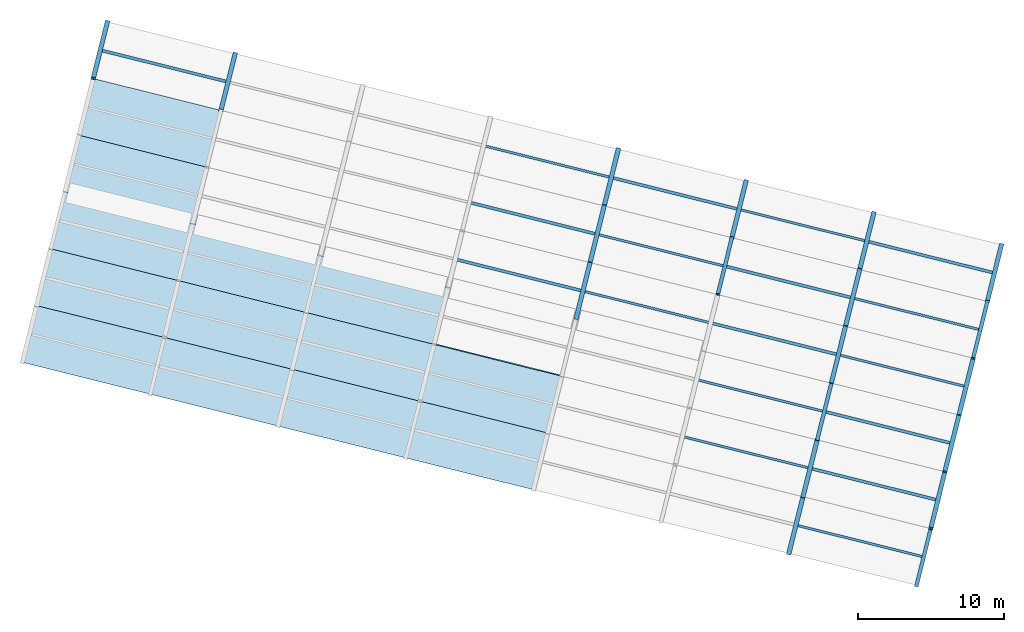
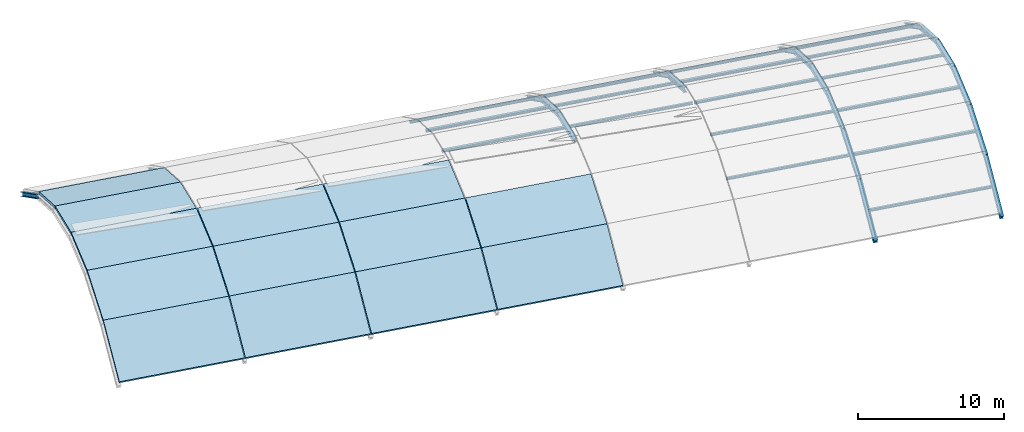
# One storey, part 2 of 3: 37 members, 13 slabs.
"""IFC4 building model written with IfcOpenShell, lengths in metres."""

from ifc_helpers import new_model, si_unit, direction, frame, origin, origin_2d, place, context, subcontext, project, spatial, polyline, i_section, outline, extrude, material, layer, layer_set, material_profile, profile_set, type_object, element, save


model = new_model("IFC4")

# Units and contexts
model_context = context("Model", 3, precision=1e-05, world=origin(), true_north=direction((0.0, 1.0)))
body_context = subcontext(model_context, "Body", "Model", "MODEL_VIEW")
ifc_project = project(units=[si_unit("LENGTHUNIT", "METRE"), si_unit("AREAUNIT", "SQUARE_METRE"), si_unit("VOLUMEUNIT", "CUBIC_METRE"), si_unit("PLANEANGLEUNIT", "RADIAN"), si_unit("MASSUNIT", "GRAM", prefix="KILO")], contexts=[model_context])

# Site, building, storey
site_placement = place(None, origin())
site = spatial("IfcSite", under=ifc_project, at=site_placement, CompositionType="ELEMENT")
building_placement = place(site_placement, origin())
building = spatial("IfcBuilding", under=site, at=building_placement, Name="Vireo Bluff Cable Station", CompositionType="ELEMENT")
storey_placement = place(building_placement, frame((0.0, 0.0, 28.800048828125)))
storey = spatial("IfcBuildingStorey", under=building, at=storey_placement, Name="Roof", CompositionType="ELEMENT", Elevation=28.800048828125)

# Members
ifc_material_1 = material(Name="Steel ASTM A992 Gr. 50", Category="steel")
ifc_material_profile_1 = material_profile(ifc_material_1, i_section(OverallWidth=0.304931640625, OverallDepth=0.306884765625, WebThickness=0.010009765625, FlangeThickness=0.015380859375, FilletRadius=0.012939453125, at=origin_2d()), Name="W12X65")
ifc_profile_set_1 = profile_set([ifc_material_profile_1], Name="Steel ASTM A992 Gr. 50")
member_type_1 = type_object("IfcMemberType", Name="CHD-01", PredefinedType="CHORD", material=ifc_profile_set_1)
member_1_placement = place(storey_placement, frame((67.571044921875, 55.228515625, -2.2421875), z_axis=(0.205801852835, 0.825387955695, -0.525718860194), x_axis=(-0.970293098586, 0.241932434444, 0.0)))
element("IfcMember", 1, at=member_1_placement, inside=storey, type_object=member_type_1, Name="V1 shell arch rib 2.6", PredefinedType="CHORD", context=body_context, shape_type="SweptSolid", body=[
    extrude(i_section(OverallWidth=0.304931640625, OverallDepth=0.306884765625, WebThickness=0.010009765625, FlangeThickness=0.015380859375, FilletRadius=0.012939453125, at=origin_2d()), origin(), (0.0, 0.0, 1.0), 4.702392578125),
])
member_2_placement = place(storey_placement, frame((91.833740234375, 40.934326171875, 0.5927734375), z_axis=(0.240119626405, 0.962962083996, -0.122664541743), x_axis=(-0.970289525963, 0.24194676234, 0.0)))
element("IfcMember", 2, at=member_2_placement, inside=storey, type_object=member_type_1, Name="V1 shell arch rib 5.4", PredefinedType="CHORD", context=body_context, shape_type="SweptSolid", body=[
    extrude(i_section(OverallWidth=0.304931640625, OverallDepth=0.306884765625, WebThickness=0.010009765625, FlangeThickness=0.015380859375, FilletRadius=0.012939453125, at=origin_2d()), origin(), (0.0, 0.0, 1.0), 4.0302734375),
])
member_3_placement = place(storey_placement, frame((102.501708984375, 46.51953125, -1.099365234375), z_axis=(0.2058106722, 0.82537140665, -0.525741389176), x_axis=(-0.970289525963, 0.24194676234, 0.0)))
element("IfcMember", 3, at=member_3_placement, inside=storey, type_object=member_type_1, Name="V1 shell arch rib 6.6", PredefinedType="CHORD", context=body_context, shape_type="SweptSolid", body=[
    extrude(i_section(OverallWidth=0.304931640625, OverallDepth=0.306884765625, WebThickness=0.010009765625, FlangeThickness=0.015380859375, FilletRadius=0.012939453125, at=origin_2d()), origin(), (0.0, 0.0, 1.0), 4.7021484375),
])
member_4_placement = place(storey_placement, frame((109.299072265625, 36.579833984375, 1.164306640625), z_axis=(0.240060758444, 0.962968931868, -0.122725989556), x_axis=(-0.970303853191, 0.241889297993, 0.0)))
element("IfcMember", 4, at=member_4_placement, inside=storey, type_object=member_type_1, Name="V1 shell arch rib 7.4", PredefinedType="CHORD", context=body_context, shape_type="SweptSolid", body=[
    extrude(i_section(OverallWidth=0.304931640625, OverallDepth=0.306884765625, WebThickness=0.010009765625, FlangeThickness=0.015380859375, FilletRadius=0.012939453125, at=origin_2d()), origin(), (0.0, 0.0, 1.0), 4.0302734375),
])
member_5_placement = place(storey_placement, frame((116.096435546875, 26.64013671875, -0.52783203125), z_axis=(0.226795179259, 0.909755984023, 0.347718271304), x_axis=(-0.970303853191, 0.241889297993, 0.0)))
element("IfcMember", 5, at=member_5_placement, inside=storey, type_object=member_type_1, Name="V1 shell arch rib 8.2", PredefinedType="CHORD", context=body_context, shape_type="SweptSolid", body=[
    extrude(i_section(OverallWidth=0.304931640625, OverallDepth=0.306884765625, WebThickness=0.010009765625, FlangeThickness=0.015380859375, FilletRadius=0.012939453125, at=origin_2d()), origin(), (0.0, 0.0, 1.0), 4.26611328125),
])
member_6_placement = place(storey_placement, frame((119.967041015625, 42.164794921875, -0.52783203125), z_axis=(0.2058106722, 0.82537140665, -0.525741389176), x_axis=(-0.970289525963, 0.24194676234, 0.0)))
element("IfcMember", 6, at=member_6_placement, inside=storey, type_object=member_type_1, Name="V1 shell arch rib 8.6", PredefinedType="CHORD", context=body_context, shape_type="SweptSolid", body=[
    extrude(i_section(OverallWidth=0.304931640625, OverallDepth=0.306884765625, WebThickness=0.010009765625, FlangeThickness=0.015380859375, FilletRadius=0.012939453125, at=origin_2d()), origin(), (0.0, 0.0, 1.0), 4.7021484375),
])
ifc_material_profile_2 = material_profile(ifc_material_1, i_section(OverallWidth=0.306884765625, OverallDepth=0.31494140625, WebThickness=0.011962890625, FlangeThickness=0.018798828125, FilletRadius=0.012939453125, at=origin_2d()), Name="W12X79")
ifc_profile_set_2 = profile_set([ifc_material_profile_2], Name="Steel ASTM A992 Gr. 50")
member_type_2 = type_object("IfcMemberType", Name="CHD-02", PredefinedType="CHORD", material=ifc_profile_set_2)
member_7_placement = place(storey_placement, frame((92.801513671875, 44.8154296875, 0.098388671875), z_axis=(0.226783372024, 0.909765846185, -0.347700168664), x_axis=(-0.97030742417, 0.241874973077, 0.0)))
element("IfcMember", 7, at=member_7_placement, inside=storey, type_object=member_type_2, Name="V1 shell arch rib 5.5", PredefinedType="CHORD", context=body_context, shape_type="SweptSolid", body=[
    extrude(i_section(OverallWidth=0.306884765625, OverallDepth=0.31494140625, WebThickness=0.011962890625, FlangeThickness=0.018798828125, FilletRadius=0.012939453125, at=origin_2d()), origin(), (0.0, 0.0, 1.0), 4.266357421875),
])
member_8_placement = place(storey_placement, frame((106.39599609375, 24.936279296875, -3.28564453125), z_axis=(0.2058106722, 0.82537140665, 0.525741389176), x_axis=(-0.970289525963, 0.24194676234, 0.0)))
element("IfcMember", 8, at=member_8_placement, inside=storey, type_object=member_type_2, Name="V1 shell arch rib 7.1", PredefinedType="CHORD", context=body_context, shape_type="SweptSolid", body=[
    extrude(i_section(OverallWidth=0.306884765625, OverallDepth=0.31494140625, WebThickness=0.011962890625, FlangeThickness=0.018798828125, FilletRadius=0.012939453125, at=origin_2d()), origin(), (0.0, 0.0, 1.0), 4.7021484375),
])
member_9_placement = place(storey_placement, frame((110.2666015625, 40.4609375, 0.669677734375), z_axis=(0.226853976553, 0.909762276807, -0.347663447921), x_axis=(-0.970289525963, 0.24194676234, 0.0)))
element("IfcMember", 9, at=member_9_placement, inside=storey, type_object=member_type_2, Name="V1 shell arch rib 7.5", PredefinedType="CHORD", context=body_context, shape_type="SweptSolid", body=[
    extrude(i_section(OverallWidth=0.306884765625, OverallDepth=0.31494140625, WebThickness=0.011962890625, FlangeThickness=0.018798828125, FilletRadius=0.012939453125, at=origin_2d()), origin(), (0.0, 0.0, 1.0), 4.26611328125),
])
member_10_placement = place(storey_placement, frame((117.06396484375, 30.521240234375, 0.95556640625), z_axis=(0.24010562065, 0.962966487663, 0.122657386937), x_axis=(-0.970293098586, 0.241932434444, 0.0)))
element("IfcMember", 10, at=member_10_placement, inside=storey, type_object=member_type_2, Name="V1 shell arch rib 8.3", PredefinedType="CHORD", context=body_context, shape_type="SweptSolid", body=[
    extrude(i_section(OverallWidth=0.306884765625, OverallDepth=0.31494140625, WebThickness=0.011962890625, FlangeThickness=0.018798828125, FilletRadius=0.012939453125, at=origin_2d()), origin(), (0.0, 0.0, 1.0), 4.030517578125),
])
ifc_material_profile_3 = material_profile(ifc_material_1, i_section(OverallWidth=0.30908203125, OverallDepth=0.322998046875, WebThickness=0.013916015625, FlangeThickness=0.02294921875, FilletRadius=0.012939453125, at=origin_2d()), Name="W12X96")
ifc_profile_set_3 = profile_set([ifc_material_profile_3], Name="Steel ASTM A992 Gr. 50")
member_type_3 = type_object("IfcMemberType", Name="CHD-03", PredefinedType="CHORD", material=ifc_profile_set_3)
for number, where, z_axis, x_axis, name in (
    (11, (58.83837890625, 57.406005859375, -2.52783203125), (0.2058106722, 0.82537140665, -0.525741389176), (-0.970289525963, 0.24194676234, 0.0), "V1 shell arch rib 1.6"),
    (12, (93.76904296875, 48.69677734375, -1.385009765625), (0.2058106722, 0.82537140665, -0.525741389176), (-0.970289525963, 0.24194676234, 0.0), "V1 shell arch rib 5.6"),
):
    element("IfcMember", number, at=place(storey_placement, frame(where, z_axis=z_axis, x_axis=x_axis)), inside=storey, type_object=member_type_3, Name=name, PredefinedType="CHORD", context=body_context, shape_type="SweptSolid", body=[
        extrude(i_section(OverallWidth=0.30908203125, OverallDepth=0.322998046875, WebThickness=0.013916015625, FlangeThickness=0.02294921875, FilletRadius=0.012939453125, at=origin_2d()), origin(), (0.0, 0.0, 1.0), 4.7021484375),
    ])
member_11_placement = place(storey_placement, frame((107.36376953125, 28.8173828125, -0.8134765625), z_axis=(0.226799692082, 0.909774086558, 0.347667960989), x_axis=(-0.970303853191, 0.241889297993, 0.0)))
element("IfcMember", 13, at=member_11_placement, inside=storey, type_object=member_type_3, Name="V1 shell arch rib 7.2", PredefinedType="CHORD", context=body_context, shape_type="SweptSolid", body=[
    extrude(i_section(OverallWidth=0.30908203125, OverallDepth=0.322998046875, WebThickness=0.013916015625, FlangeThickness=0.02294921875, FilletRadius=0.012939453125, at=origin_2d()), origin(), (0.0, 0.0, 1.0), 4.26611328125),
])
member_12_placement = place(storey_placement, frame((111.234375, 44.342041015625, -0.8134765625), z_axis=(0.205801852835, 0.825387955695, -0.525718860194), x_axis=(-0.970293098586, 0.241932434444, 0.0)))
element("IfcMember", 14, at=member_12_placement, inside=storey, type_object=member_type_3, Name="V1 shell arch rib 7.6", PredefinedType="CHORD", context=body_context, shape_type="SweptSolid", body=[
    extrude(i_section(OverallWidth=0.30908203125, OverallDepth=0.322998046875, WebThickness=0.013916015625, FlangeThickness=0.02294921875, FilletRadius=0.012939453125, at=origin_2d()), origin(), (0.0, 0.0, 1.0), 4.702392578125),
])
member_13_placement = place(storey_placement, frame((118.03173828125, 34.402587890625, 1.449951171875), z_axis=(0.240062542681, 0.962976089075, -0.122666325745), x_axis=(-0.970303853191, 0.241889297993, 0.0)))
element("IfcMember", 15, at=member_13_placement, inside=storey, type_object=member_type_3, Name="V1 shell arch rib 8.4", PredefinedType="CHORD", context=body_context, shape_type="SweptSolid", body=[
    extrude(i_section(OverallWidth=0.30908203125, OverallDepth=0.322998046875, WebThickness=0.013916015625, FlangeThickness=0.02294921875, FilletRadius=0.012939453125, at=origin_2d()), origin(), (0.0, 0.0, 1.0), 4.0302734375),
])
ifc_material_profile_4 = material_profile(ifc_material_1, i_section(OverallWidth=0.257080078125, OverallDepth=0.363037109375, WebThickness=0.012939453125, FlangeThickness=0.021728515625, FilletRadius=0.014892578125, at=origin_2d()), Name="W14X82")
ifc_profile_set_4 = profile_set([ifc_material_profile_4], Name="Steel ASTM A992 Gr. 50")
member_type_4 = type_object("IfcMemberType", Name="CHD-04", PredefinedType="CHORD", material=ifc_profile_set_4)
member_14_placement = place(storey_placement, frame((101.5341796875, 42.63818359375, 0.384033203125), z_axis=(0.226783372024, 0.909765846185, -0.347700168664), x_axis=(-0.97030742417, 0.241874973077, 0.0)))
element("IfcMember", 16, at=member_14_placement, inside=storey, type_object=member_type_4, Name="V1 shell arch rib 6.5", PredefinedType="CHORD", context=body_context, shape_type="SweptSolid", body=[
    extrude(i_section(OverallWidth=0.257080078125, OverallDepth=0.363037109375, WebThickness=0.012939453125, FlangeThickness=0.021728515625, FilletRadius=0.014892578125, at=origin_2d()), origin(), (0.0, 0.0, 1.0), 4.266357421875),
])
member_15_placement = place(storey_placement, frame((108.331298828125, 32.698486328125, 0.669677734375), z_axis=(0.240103836353, 0.962959331571, 0.122717046532), x_axis=(-0.970293098586, 0.241932434444, 0.0)))
element("IfcMember", 17, at=member_15_placement, inside=storey, type_object=member_type_4, Name="V1 shell arch rib 7.3", PredefinedType="CHORD", context=body_context, shape_type="SweptSolid", body=[
    extrude(i_section(OverallWidth=0.257080078125, OverallDepth=0.363037109375, WebThickness=0.012939453125, FlangeThickness=0.021728515625, FilletRadius=0.014892578125, at=origin_2d()), origin(), (0.0, 0.0, 1.0), 4.03076171875),
])
member_16_placement = place(storey_placement, frame((115.128662109375, 22.759033203125, -3.0), z_axis=(0.2058106722, 0.82537140665, 0.525741389176), x_axis=(-0.970289525963, 0.24194676234, 0.0)))
element("IfcMember", 18, at=member_16_placement, inside=storey, type_object=member_type_4, Name="V1 shell arch rib 8.1", PredefinedType="CHORD", context=body_context, shape_type="SweptSolid", body=[
    extrude(i_section(OverallWidth=0.257080078125, OverallDepth=0.363037109375, WebThickness=0.012939453125, FlangeThickness=0.021728515625, FilletRadius=0.014892578125, at=origin_2d()), origin(), (0.0, 0.0, 1.0), 4.7021484375),
])
member_17_placement = place(storey_placement, frame((118.999267578125, 38.28369140625, 0.95556640625), z_axis=(0.226849462767, 0.909744174977, -0.347713757763), x_axis=(-0.970289525963, 0.24194676234, 0.0)))
element("IfcMember", 19, at=member_17_placement, inside=storey, type_object=member_type_4, Name="V1 shell arch rib 8.5", PredefinedType="CHORD", context=body_context, shape_type="SweptSolid", body=[
    extrude(i_section(OverallWidth=0.257080078125, OverallDepth=0.363037109375, WebThickness=0.012939453125, FlangeThickness=0.021728515625, FilletRadius=0.014892578125, at=origin_2d()), origin(), (0.0, 0.0, 1.0), 4.26611328125),
])
ifc_material_profile_5 = material_profile(ifc_material_1, i_section(OverallWidth=0.1650390625, OverallDepth=0.200927734375, WebThickness=0.006103515625, FlangeThickness=0.01025390625, FilletRadius=0.008056640625, at=origin_2d()), Name="W8X24")
ifc_profile_set_5 = profile_set([ifc_material_profile_5], Name="Steel ASTM A992 Gr. 50")
member_type_5 = type_object("IfcMemberType", Name="PUR-01", PredefinedType="PURLIN", material=ifc_profile_set_5)
member_18_placement = place(storey_placement, frame((85.56884765625, 52.802490234375, -2.865234375), z_axis=(0.969807258101, -0.241800633547, 0.031722795443), x_axis=(0.241922391763, 0.970295602568, 0.0)))
element("IfcMember", 20, at=member_18_placement, inside=storey, type_object=member_type_5, Name="V1 shell purlin 4.6", PredefinedType="PURLIN", context=body_context, shape_type="SweptSolid", body=[
    extrude(i_section(OverallWidth=0.1650390625, OverallDepth=0.200927734375, WebThickness=0.006103515625, FlangeThickness=0.01025390625, FilletRadius=0.008056640625, at=origin_2d()), origin(), (0.0, 0.0, 1.0), 8.904296875),
])
for number, where, z_axis, x_axis, name in (
    (21, (92.365966796875, 42.86279296875, 0.38720703125), (0.9698088887, -0.241794204157, 0.031721951946), (0.241915952656, 0.970297207999, 0.0), "V1 shell purlin 5.4"),
    (22, (99.163330078125, 32.923095703125, -0.31591796875), (0.9698088887, -0.241794204157, 0.031721951946), (0.241915952656, 0.970297207999, 0.0), "V1 shell purlin 6.2"),
):
    element("IfcMember", number, at=place(storey_placement, frame(where, z_axis=z_axis, x_axis=x_axis)), inside=storey, type_object=member_type_5, Name=name, PredefinedType="PURLIN", context=body_context, shape_type="SweptSolid", body=[
        extrude(i_section(OverallWidth=0.1650390625, OverallDepth=0.200927734375, WebThickness=0.006103515625, FlangeThickness=0.01025390625, FilletRadius=0.008056640625, at=origin_2d()), origin(), (0.0, 0.0, 1.0), 8.904541015625),
    ])
member_19_placement = place(storey_placement, frame((103.0341796875, 48.447998046875, -2.293701171875), z_axis=(0.969807258101, -0.241800633547, 0.031722795443), x_axis=(0.241922391763, 0.970295602568, 0.0)))
element("IfcMember", 23, at=member_19_placement, inside=storey, type_object=member_type_5, Name="V1 shell purlin 6.6", PredefinedType="PURLIN", context=body_context, shape_type="SweptSolid", body=[
    extrude(i_section(OverallWidth=0.1650390625, OverallDepth=0.200927734375, WebThickness=0.006103515625, FlangeThickness=0.01025390625, FilletRadius=0.008056640625, at=origin_2d()), origin(), (0.0, 0.0, 1.0), 8.904296875),
])
member_20_placement = place(storey_placement, frame((109.831298828125, 38.50830078125, 0.95849609375), z_axis=(0.96980804486, -0.24179399377, 0.031749341738), x_axis=(0.241915952656, 0.970297207999, 0.0)))
element("IfcMember", 24, at=member_20_placement, inside=storey, type_object=member_type_5, Name="V1 shell purlin 7.4", PredefinedType="PURLIN", context=body_context, shape_type="SweptSolid", body=[
    extrude(i_section(OverallWidth=0.1650390625, OverallDepth=0.200927734375, WebThickness=0.006103515625, FlangeThickness=0.01025390625, FilletRadius=0.008056640625, at=origin_2d()), origin(), (0.0, 0.0, 1.0), 8.904541015625),
])
ifc_material_profile_6 = material_profile(ifc_material_1, i_section(OverallWidth=0.166015625, OverallDepth=0.205078125, WebThickness=0.007080078125, FlangeThickness=0.01171875, FilletRadius=0.008056640625, at=origin_2d()), Name="W8X28")
ifc_profile_set_6 = profile_set([ifc_material_profile_6], Name="Steel ASTM A992 Gr. 50")
member_type_6 = type_object("IfcMemberType", Name="PUR-02", PredefinedType="PURLIN", material=ifc_profile_set_6)
member_21_placement = place(storey_placement, frame((93.333740234375, 46.744140625, -0.601806640625), z_axis=(0.969801615352, -0.241819807967, 0.03174913125), x_axis=(0.241941778255, 0.970290768757, 0.0)))
element("IfcMember", 25, at=member_21_placement, inside=storey, type_object=member_type_6, Name="V1 shell purlin 5.5", PredefinedType="PURLIN", context=body_context, shape_type="SweptSolid", body=[
    extrude(i_section(OverallWidth=0.166015625, OverallDepth=0.205078125, WebThickness=0.007080078125, FlangeThickness=0.01171875, FilletRadius=0.008056640625, at=origin_2d()), origin(), (0.0, 0.0, 1.0), 8.904541015625),
])
member_22_placement = place(storey_placement, frame((100.131103515625, 36.804443359375, 0.6728515625), z_axis=(0.969807258101, -0.241800633547, 0.031722795443), x_axis=(0.241922391763, 0.970295602568, 0.0)))
element("IfcMember", 26, at=member_22_placement, inside=storey, type_object=member_type_6, Name="V1 shell purlin 6.3", PredefinedType="PURLIN", context=body_context, shape_type="SweptSolid", body=[
    extrude(i_section(OverallWidth=0.166015625, OverallDepth=0.205078125, WebThickness=0.007080078125, FlangeThickness=0.01171875, FilletRadius=0.008056640625, at=origin_2d()), origin(), (0.0, 0.0, 1.0), 8.904296875),
])
for number, where, z_axis, x_axis, name in (
    (27, (106.92822265625, 26.86474609375, -2.008056640625), (0.9698088887, -0.241794204157, 0.031721951946), (0.241915952656, 0.970297207999, 0.0), "V1 shell purlin 7.1"),
    (28, (110.799072265625, 42.389404296875, -0.0302734375), (0.9698088887, -0.241794204157, 0.031721951946), (0.241915952656, 0.970297207999, 0.0), "V1 shell purlin 7.5"),
):
    element("IfcMember", number, at=place(storey_placement, frame(where, z_axis=z_axis, x_axis=x_axis)), inside=storey, type_object=member_type_6, Name=name, PredefinedType="PURLIN", context=body_context, shape_type="SweptSolid", body=[
        extrude(i_section(OverallWidth=0.166015625, OverallDepth=0.205078125, WebThickness=0.007080078125, FlangeThickness=0.01171875, FilletRadius=0.008056640625, at=origin_2d()), origin(), (0.0, 0.0, 1.0), 8.904541015625),
    ])
ifc_material_profile_7 = material_profile(ifc_material_1, i_section(OverallWidth=0.2041015625, OverallDepth=0.2060546875, WebThickness=0.0078125, FlangeThickness=0.0126953125, FilletRadius=0.008056640625, at=origin_2d()), Name="W8X35")
ifc_profile_set_7 = profile_set([ifc_material_profile_7], Name="Steel ASTM A992 Gr. 50")
member_type_7 = type_object("IfcMemberType", Name="PUR-03", PredefinedType="PURLIN", material=ifc_profile_set_7)
member_23_placement = place(storey_placement, frame((59.370849609375, 59.33447265625, -3.722412109375), z_axis=(0.969806414218, -0.241800423143, 0.031750185962), x_axis=(0.241922391763, 0.970295602568, 0.0)))
element("IfcMember", 29, at=member_23_placement, inside=storey, type_object=member_type_7, Name="V1 shell purlin 1.6", PredefinedType="PURLIN", context=body_context, shape_type="SweptSolid", body=[
    extrude(i_section(OverallWidth=0.2041015625, OverallDepth=0.2060546875, WebThickness=0.0078125, FlangeThickness=0.0126953125, FilletRadius=0.008056640625, at=origin_2d()), origin(), (0.0, 0.0, 1.0), 8.904296875),
])
member_24_placement = place(storey_placement, frame((83.63330078125, 45.0400390625, 0.1015625), z_axis=(0.9698088887, -0.241794204157, 0.031721951946), x_axis=(0.241915952656, 0.970297207999, 0.0)))
element("IfcMember", 30, at=member_24_placement, inside=storey, type_object=member_type_7, Name="V1 shell purlin 4.4", PredefinedType="PURLIN", context=body_context, shape_type="SweptSolid", body=[
    extrude(i_section(OverallWidth=0.2041015625, OverallDepth=0.2060546875, WebThickness=0.0078125, FlangeThickness=0.0126953125, FilletRadius=0.008056640625, at=origin_2d()), origin(), (0.0, 0.0, 1.0), 8.904541015625),
])
member_25_placement = place(storey_placement, frame((94.301513671875, 50.625244140625, -2.57958984375), z_axis=(0.969806414218, -0.241800423143, 0.031750185962), x_axis=(0.241922391763, 0.970295602568, 0.0)))
element("IfcMember", 31, at=member_25_placement, inside=storey, type_object=member_type_7, Name="V1 shell purlin 5.6", PredefinedType="PURLIN", context=body_context, shape_type="SweptSolid", body=[
    extrude(i_section(OverallWidth=0.2041015625, OverallDepth=0.2060546875, WebThickness=0.0078125, FlangeThickness=0.0126953125, FilletRadius=0.008056640625, at=origin_2d()), origin(), (0.0, 0.0, 1.0), 8.904296875),
])
for number, where, z_axis, x_axis, name in (
    (32, (101.0986328125, 40.685546875, 0.6728515625), (0.9698088887, -0.241794204157, 0.031721951946), (0.241915952656, 0.970297207999, 0.0), "V1 shell purlin 6.4"),
    (33, (107.89599609375, 30.745849609375, -0.0302734375), (0.9698088887, -0.241794204157, 0.031721951946), (0.241915952656, 0.970297207999, 0.0), "V1 shell purlin 7.2"),
):
    element("IfcMember", number, at=place(storey_placement, frame(where, z_axis=z_axis, x_axis=x_axis)), inside=storey, type_object=member_type_7, Name=name, PredefinedType="PURLIN", context=body_context, shape_type="SweptSolid", body=[
        extrude(i_section(OverallWidth=0.2041015625, OverallDepth=0.2060546875, WebThickness=0.0078125, FlangeThickness=0.0126953125, FilletRadius=0.008056640625, at=origin_2d()), origin(), (0.0, 0.0, 1.0), 8.904541015625),
    ])
member_26_placement = place(storey_placement, frame((111.766845703125, 46.2705078125, -2.008056640625), z_axis=(0.969807258101, -0.241800633547, 0.031722795443), x_axis=(0.241922391763, 0.970295602568, 0.0)))
element("IfcMember", 34, at=member_26_placement, inside=storey, type_object=member_type_7, Name="V1 shell purlin 7.6", PredefinedType="PURLIN", context=body_context, shape_type="SweptSolid", body=[
    extrude(i_section(OverallWidth=0.2041015625, OverallDepth=0.2060546875, WebThickness=0.0078125, FlangeThickness=0.0126953125, FilletRadius=0.008056640625, at=origin_2d()), origin(), (0.0, 0.0, 1.0), 8.904296875),
])
ifc_material_profile_8 = material_profile(ifc_material_1, i_section(OverallWidth=0.2060546875, OverallDepth=0.216064453125, WebThickness=0.01025390625, FlangeThickness=0.017333984375, FilletRadius=0.008056640625, at=origin_2d()), Name="W8X48")
ifc_profile_set_8 = profile_set([ifc_material_profile_8], Name="Steel ASTM A992 Gr. 50")
member_type_8 = type_object("IfcMemberType", Name="PUR-04", PredefinedType="PURLIN", material=ifc_profile_set_8)
for number, where, z_axis, x_axis, name in (
    (35, (84.60107421875, 48.92138671875, -0.887451171875), (0.9698088887, -0.241794204157, 0.031721951946), (0.241915952656, 0.970297207999, 0.0), "V1 shell purlin 4.5"),
    (36, (102.06640625, 44.566650390625, -0.31591796875), (0.9698088887, -0.241794204157, 0.031721951946), (0.241915952656, 0.970297207999, 0.0), "V1 shell purlin 6.5"),
):
    element("IfcMember", number, at=place(storey_placement, frame(where, z_axis=z_axis, x_axis=x_axis)), inside=storey, type_object=member_type_8, Name=name, PredefinedType="PURLIN", context=body_context, shape_type="SweptSolid", body=[
        extrude(i_section(OverallWidth=0.2060546875, OverallDepth=0.216064453125, WebThickness=0.01025390625, FlangeThickness=0.017333984375, FilletRadius=0.008056640625, at=origin_2d()), origin(), (0.0, 0.0, 1.0), 8.904541015625),
    ])
member_27_placement = place(storey_placement, frame((108.86376953125, 34.627197265625, 0.95849609375), z_axis=(0.969799984379, -0.241826237941, 0.031749975458), x_axis=(0.241948217964, 0.970289162994, 0.0)))
element("IfcMember", 37, at=member_27_placement, inside=storey, type_object=member_type_8, Name="V1 shell purlin 7.3", PredefinedType="PURLIN", context=body_context, shape_type="SweptSolid", body=[
    extrude(i_section(OverallWidth=0.2060546875, OverallDepth=0.216064453125, WebThickness=0.01025390625, FlangeThickness=0.017333984375, FilletRadius=0.008056640625, at=origin_2d()), origin(), (0.0, 0.0, 1.0), 8.904296875),
])

# Slabs
ifc_material_2 = material(Name="Concrete f'c 50 MPa", Category="concrete")
ifc_layer = layer(ifc_material_2, 0.219970703125, Name="Concrete f'c 50 MPa")
ifc_layer_set = layer_set([ifc_layer], Name="Concrete f'c 50 MPa")
slab_type = type_object("IfcSlabType", Name="ROOFSLAB-220-1", PredefinedType="ROOF", material=ifc_layer_set)
slab_1_placement = place(storey_placement, frame((54.029052734375, 37.99267578125, -4.59912109375), z_axis=(-0.15334134841, -0.503397879878, 0.850339347203), x_axis=(0.969810952776, -0.241782046786, 0.031751499617)))
element("IfcSlab", 38, at=slab_1_placement, inside=storey, type_object=slab_type, Name="V1 barrel shell facet 1.1", PredefinedType="ROOF", context=body_context, shape_type="SweptSolid", body=[
    extrude(outline(polyline([(0.0, 0.0), (8.944576495987416, 8.326672684688674e-17), (9.023010893745532, 4.701546548088515), (0.07861213919024312, 4.701795364099379), (0.0, 0.0)])), origin(), (0.0, 0.0, -1.0), 0.219970703125),
])
slab_2_placement = place(storey_placement, frame((54.996826171875, 41.8740234375, -2.126953125), z_axis=(-0.112966819237, -0.330033233117, 0.937185447385), x_axis=(0.969804303294, -0.241809634756, 0.031744508999)))
element("IfcSlab", 39, at=slab_2_placement, inside=storey, type_object=slab_type, Name="V1 barrel shell facet 1.2", PredefinedType="ROOF", context=body_context, shape_type="SweptSolid", body=[
    extrude(outline(polyline([(0.0, 0.0), (8.944398758375355, 2.7755575615628914e-17), (8.991551134161051, 4.265887657119267), (0.04715237578569703, 4.265887657119267), (0.0, 0.0)])), origin(), (0.0, 0.0, -1.0), 0.219970703125),
])
slab_3_placement = place(storey_placement, frame((55.964599609375, 45.755126953125, -0.6435546875), z_axis=(-0.060230321558, -0.111340931933, 0.991955394784), x_axis=(0.969804352804, -0.241809543233, 0.031743693607)))
element("IfcSlab", 40, at=slab_3_placement, inside=storey, type_object=slab_type, Name="V1 barrel shell facet 1.3", PredefinedType="ROOF", context=body_context, shape_type="SweptSolid", body=[
    extrude(outline(polyline([(0.0, 0.0), (8.944398758372333, -2.636779683484747e-16), (8.960155380757207, 4.030349606498962), (0.015519853744053371, 4.030291908767397), (0.0, 0.0)])), origin(), (0.0, 0.0, -1.0), 0.219970703125),
])
slab_4_placement = place(storey_placement, frame((56.93212890625, 49.63623046875, -0.149169921875), z_axis=(-0.000909161957, 0.126576626347, 0.991956415921), x_axis=(0.969805926736, -0.241803232368, 0.031743681014)))
element("IfcSlab", 41, at=slab_4_placement, inside=storey, type_object=slab_type, Name="V1 barrel shell facet 1.4", PredefinedType="ROOF", context=body_context, shape_type="SweptSolid", body=[
    extrude(outline(polyline([(0.0, 0.0), (8.944635527202268, -6.938893903907228e-18), (8.928735172080517, 4.030525529528114), (-0.015663586096666692, 4.0305850696345065), (0.0, 0.0)])), origin(), (0.0, 0.0, -1.0), 0.219970703125),
])
slab_5_placement = place(storey_placement, frame((57.89990234375, 53.517578125, -0.6435546875), z_axis=(0.055204151399, 0.344438058548, 0.937184573866), x_axis=(0.969804344886, -0.241809375253, 0.031745215082)))
element("IfcSlab", 42, at=slab_5_placement, inside=storey, type_object=slab_type, Name="V1 barrel shell facet 1.5", PredefinedType="ROOF", context=body_context, shape_type="SweptSolid", body=[
    extrude(outline(polyline([(0.0, 0.0), (8.944398758372817, 2.7755575615628914e-17), (8.897371624067233, 4.265889039613939), (-0.04726390294447423, 4.26583104296439), (0.0, 0.0)])), origin(), (0.0, 0.0, -1.0), 0.219970703125),
])
slab_6_placement = place(storey_placement, frame((62.76171875, 35.8154296875, -4.3134765625), z_axis=(-0.153334316991, -0.503419160144, 0.850328016963), x_axis=(0.969808438865, -0.241794986747, 0.03172973828)))
element("IfcSlab", 43, at=slab_6_placement, inside=storey, type_object=slab_type, Name="V1 barrel shell facet 2.1", PredefinedType="ROOF", context=body_context, shape_type="SweptSolid", body=[
    extrude(outline(polyline([(0.0, 0.0), (8.944635526001973, -2.498001805406602e-16), (9.022904440491383, 4.701750843064157), (0.0785724626251264, 4.70172286620086), (0.0, 0.0)])), origin(), (0.0, 0.0, -1.0), 0.219970703125),
])
slab_7_placement = place(storey_placement, frame((63.7294921875, 39.696533203125, -1.841064453125), z_axis=(-0.112942250581, -0.330004501525, 0.937198525931), x_axis=(0.969809590812, -0.241789851866, 0.031733658835)))
element("IfcSlab", 44, at=slab_7_placement, inside=storey, type_object=slab_type, Name="V1 barrel shell facet 2.2", PredefinedType="ROOF", context=body_context, shape_type="SweptSolid", body=[
    extrude(outline(polyline([(0.0, 0.0), (8.944331977772723, -2.7755575615628914e-16), (8.991550155007896, 4.265886926480237), (0.04715139903431995, 4.266024899714896), (0.0, 0.0)])), origin(), (0.0, 0.0, -1.0), 0.219970703125),
])
slab_8_placement = place(storey_placement, frame((64.697265625, 43.577880859375, -0.35791015625), z_axis=(-0.060224305307, -0.111373216144, 0.991952135829), x_axis=(0.969805168201, -0.241808035487, 0.031730264798)))
element("IfcSlab", 45, at=slab_8_placement, inside=storey, type_object=slab_type, Name="V1 barrel shell facet 2.3", PredefinedType="ROOF", context=body_context, shape_type="SweptSolid", body=[
    extrude(outline(polyline([(0.0, 0.0), (8.944398757453174, 3.122502256758253e-16), (8.960155381677984, 4.030349604451916), (0.01552760203159815, 4.030321832221923), (0.0, 0.0)])), origin(), (0.0, 0.0, -1.0), 0.219970703125),
])
slab_9_placement = place(storey_placement, frame((71.494384765625, 33.63818359375, -4.027587890625), z_axis=(-0.153328032293, -0.503412898919, 0.850332857013), x_axis=(0.969806445818, -0.241804496756, 0.03171818087)))
element("IfcSlab", 46, at=slab_9_placement, inside=storey, type_object=slab_type, Name="V1 barrel shell facet 3.1", PredefinedType="ROOF", context=body_context, shape_type="SweptSolid", body=[
    extrude(outline(polyline([(0.0, 0.0), (8.944627780592077, 3.0531133177191805e-16), (9.022888317540906, 4.701549445983509), (0.07849730610063939, 4.701595746512606), (0.0, 0.0)])), origin(), (0.0, 0.0, -1.0), 0.219970703125),
])
slab_10_placement = place(storey_placement, frame((72.462158203125, 37.519287109375, -1.555419921875), z_axis=(-0.112937196709, -0.330025779344, 0.937191642391), x_axis=(0.969805317323, -0.24180933551, 0.031715796581)))
element("IfcSlab", 47, at=slab_10_placement, inside=storey, type_object=slab_type, Name="V1 barrel shell facet 3.2", PredefinedType="ROOF", context=body_context, shape_type="SweptSolid", body=[
    extrude(outline(polyline([(0.0, 0.0), (8.944391011569063, -3.608224830031759e-16), (8.991443902672328, 4.266110875801769), (0.046816122226965295, 4.266058103668516), (0.0, 0.0)])), origin(), (0.0, 0.0, -1.0), 0.219970703125),
])
slab_11_placement = place(storey_placement, frame((73.4296875, 41.400634765625, -0.072021484375), z_axis=(-0.060202861488, -0.111346024381, 0.991956490136), x_axis=(0.969806766658, -0.241803443354, 0.031716401533)))
element("IfcSlab", 48, at=slab_11_placement, inside=storey, type_object=slab_type, Name="V1 barrel shell facet 3.3", PredefinedType="ROOF", context=body_context, shape_type="SweptSolid", body=[
    extrude(outline(polyline([(0.0, 0.0), (8.944627780611661, 1.457167719820518e-16), (8.960396920536446, 4.030349557549), (0.01576913992478415, 4.030349557549), (0.0, 0.0)])), origin(), (0.0, 0.0, -1.0), 0.219970703125),
])
slab_12_placement = place(storey_placement, frame((80.22705078125, 31.4609375, -3.741943359375), z_axis=(-0.153343436919, -0.503428245945, 0.850320993237), x_axis=(0.969804666351, -0.241810339006, 0.031728048674)))
element("IfcSlab", 49, at=slab_12_placement, inside=storey, type_object=slab_type, Name="V1 barrel shell facet 4.1", PredefinedType="ROOF", context=body_context, shape_type="SweptSolid", body=[
    extrude(outline(polyline([(0.0, 0.0), (8.944627779772578, 1.942890293094024e-16), (9.022896061629671, 4.701677694072284), (0.07849730446883053, 4.701595744980778), (0.0, 0.0)])), origin(), (0.0, 0.0, -1.0), 0.219970703125),
])
slab_13_placement = place(storey_placement, frame((81.19482421875, 35.342041015625, -1.269775390625), z_axis=(-0.112941457932, -0.330007838764, 0.937197446344), x_axis=(0.969806430809, -0.241803418836, 0.031726856137)))
element("IfcSlab", 50, at=slab_13_placement, inside=storey, type_object=slab_type, Name="V1 barrel shell facet 4.2", PredefinedType="ROOF", context=body_context, shape_type="SweptSolid", body=[
    extrude(outline(polyline([(0.0, 0.0), (8.944398756788676, 0.0), (8.991484350076458, 4.266025626020974), (0.046915603991924695, 4.265834884451563), (0.0, 0.0)])), origin(), (0.0, 0.0, -1.0), 0.219970703125),
])

save(model, "model.ifc")
